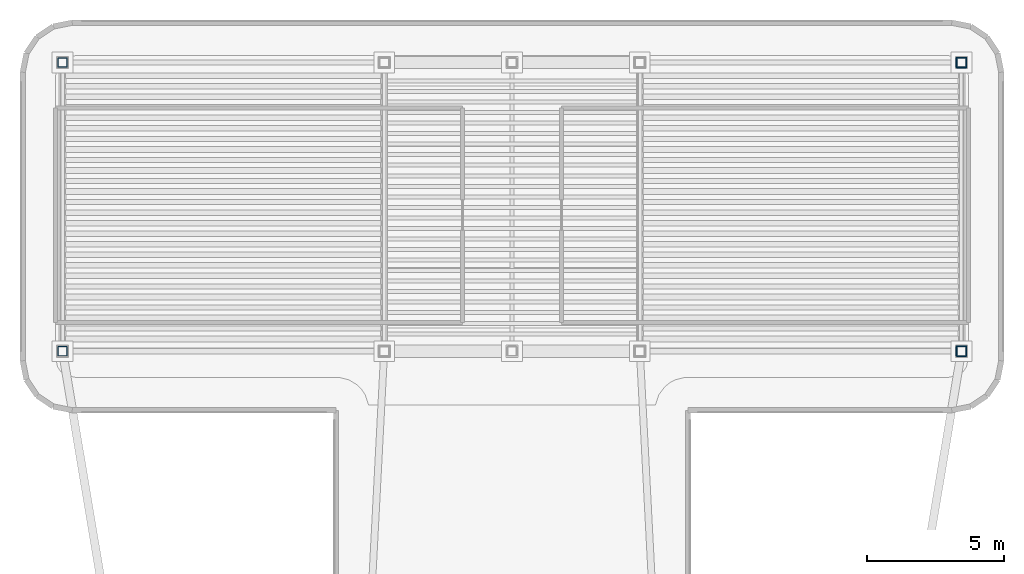
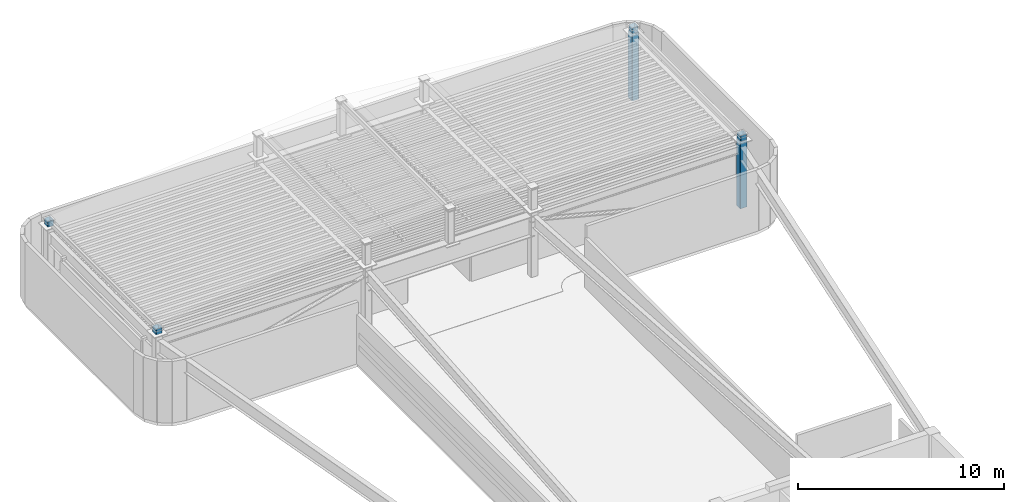
# One storey, part 2 of 7: 6 columns.
"""IFC4 building model written with IfcOpenShell, lengths in metres."""

from ifc_helpers import new_model, si_unit, direction, frame, origin, origin_2d, place, context, subcontext, project, spatial, hollow_rectangle, extrude, source, transform, mapped, material, material_profile, profile_set, type_object, element, save


model = new_model("IFC4")

# Units and contexts
model_context = context("Model", 3, precision=1e-05, world=origin(), true_north=direction((0.0, 1.0)))
body_context = subcontext(model_context, "Body", "Model", "MODEL_VIEW")
ifc_project = project(units=[si_unit("LENGTHUNIT", "METRE"), si_unit("AREAUNIT", "SQUARE_METRE"), si_unit("VOLUMEUNIT", "CUBIC_METRE"), si_unit("PLANEANGLEUNIT", "RADIAN"), si_unit("MASSUNIT", "GRAM", prefix="KILO")], contexts=[model_context])

# Site, building, storey
site_placement = place(None, origin())
site = spatial("IfcSite", under=ifc_project, at=site_placement, CompositionType="ELEMENT")
building_placement = place(site_placement, origin())
building = spatial("IfcBuilding", under=site, at=building_placement, Name="Brelvock Crest Care Tower", CompositionType="ELEMENT")
storey_placement = place(building_placement, frame((0.0, 0.0, 315.719970703125)))
storey = spatial("IfcBuildingStorey", under=building, at=storey_placement, Name="L80", CompositionType="ELEMENT", Elevation=315.719970703125)

# Columns
ifc_material = material(Name="Steel Grade 350", Category="steel")
ifc_material_profile_1 = material_profile(ifc_material, hollow_rectangle(XDim=0.39990234375, YDim=0.39990234375, WallThickness=0.02001953125, OuterFilletRadius=0.0400390625, at=origin_2d()), Name="SHS400x400x20.0")
ifc_profile_set_1 = profile_set([ifc_material_profile_1], Name="Steel Grade 350")
column_type_1 = type_object("IfcColumnType", Name="COL-CR1", PredefinedType="COLUMN", material=ifc_profile_set_1)
shared_shape_1 = source(origin(), body_context, "Body", "SweptSolid", [
    extrude(hollow_rectangle(XDim=0.39990234375, YDim=0.39990234375, WallThickness=0.02001953125, OuterFilletRadius=0.0400390625, at=origin_2d()), origin(), (0.0, 0.0, 1.0), 3.9599609375),
])
for number, where, z_axis, x_axis, name in (
    (1, (52.35009765625, 43.949951171875, 0.0), (0.0, 0.0, 1.0), (1.0, 0.0, 0.0), "L80 Tower Column M3"),
    (2, (52.35009765625, 54.449951171875, 0.0), (0.0, 0.0, 1.0), (1.0, 0.0, 0.0), "L80 Tower Column M4"),
):
    element("IfcColumn", number, at=place(storey_placement, frame(where, z_axis=z_axis, x_axis=x_axis)), inside=storey, type_object=column_type_1, Name=name, PredefinedType="COLUMN", context=body_context, shape_type="MappedRepresentation", body=[
        mapped(shared_shape_1, transform((0.0, 0.0, 0.0), x_axis=(1.0, 0.0, 0.0), y_axis=(0.0, 1.0, 0.0), z_axis=(0.0, 0.0, 1.0), scale=1.0)),
    ])
ifc_material_profile_2 = material_profile(ifc_material, hollow_rectangle(XDim=0.35009765625, YDim=0.35009765625, WallThickness=0.01611328125, OuterFilletRadius=0.031982421875, at=origin_2d()), Name="SHS350x350x16.0")
ifc_profile_set_2 = profile_set([ifc_material_profile_2], Name="Steel Grade 350")
column_type_2 = type_object("IfcColumnType", Name="COL-CR2", PredefinedType="COLUMN", material=ifc_profile_set_2)
shared_shape_2 = source(origin(), body_context, "Body", "SweptSolid", [
    extrude(hollow_rectangle(XDim=0.35009765625, YDim=0.35009765625, WallThickness=0.01611328125, OuterFilletRadius=0.031982421875, at=origin_2d()), origin(), (0.0, 0.0, 1.0), 0.35400390625),
])
for number, where, z_axis, x_axis, name in (
    (3, (19.64990234375, 43.949951171875, 3.9599609375), (0.0, 0.0, 1.0), (1.0, 0.0, 0.0), "L80 Observation Canopy Post CP-01"),
    (4, (19.64990234375, 54.449951171875, 3.9599609375), (0.0, 0.0, 1.0), (1.0, 0.0, 0.0), "L80 Observation Canopy Post CP-02"),
    (5, (52.35009765625, 43.949951171875, 3.9599609375), (0.0, 0.0, 1.0), (1.0, 0.0, 0.0), "L80 Observation Canopy Post CP-03"),
    (6, (52.35009765625, 54.449951171875, 3.9599609375), (0.0, 0.0, 1.0), (1.0, 0.0, 0.0), "L80 Observation Canopy Post CP-04"),
):
    element("IfcColumn", number, at=place(storey_placement, frame(where, z_axis=z_axis, x_axis=x_axis)), inside=storey, type_object=column_type_2, Name=name, PredefinedType="COLUMN", context=body_context, shape_type="MappedRepresentation", body=[
        mapped(shared_shape_2, transform((0.0, 0.0, 0.0), x_axis=(1.0, 0.0, 0.0), y_axis=(0.0, 1.0, 0.0), z_axis=(0.0, 0.0, 1.0), scale=1.0)),
    ])

save(model, "model.ifc")
